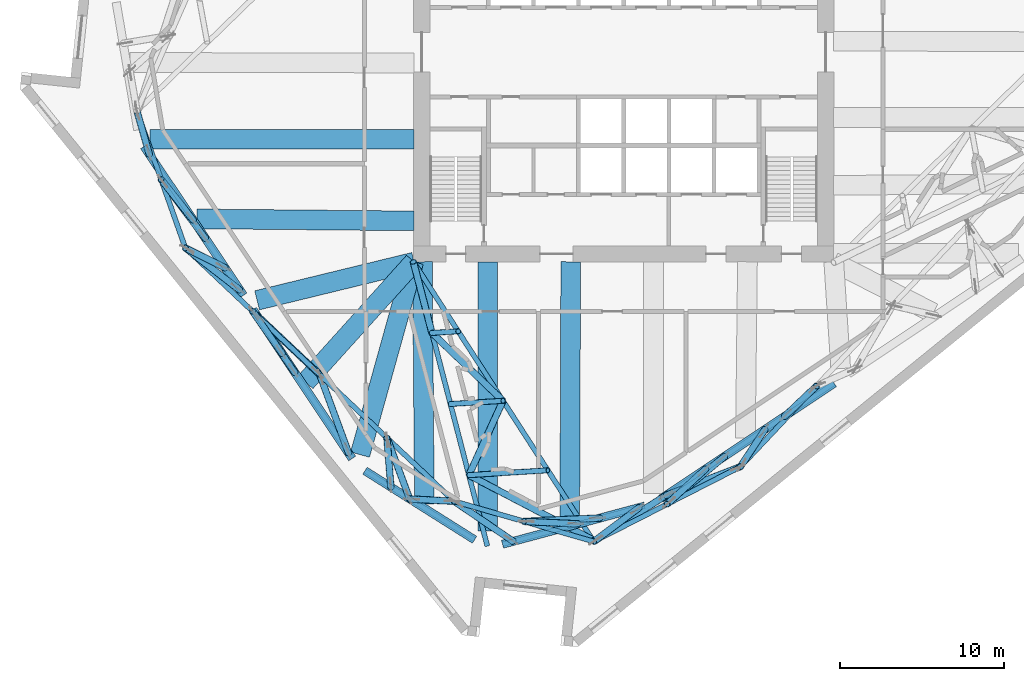
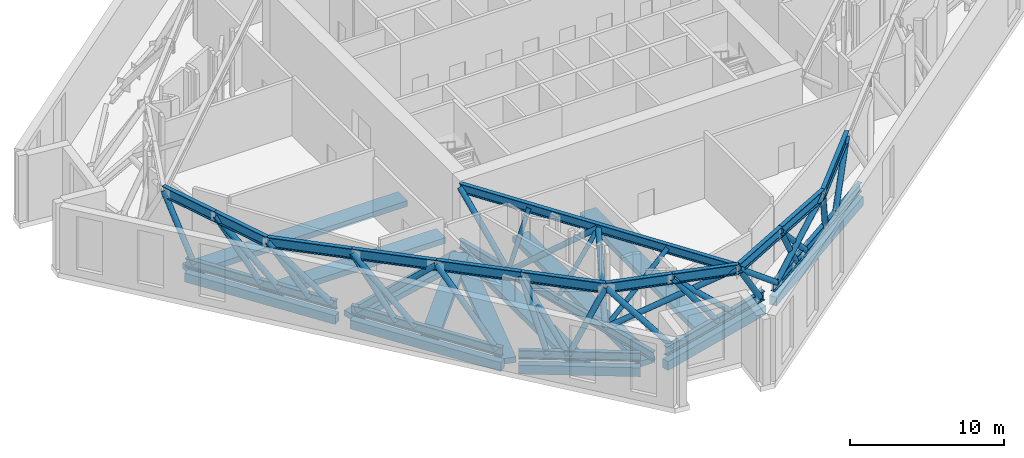
# One storey, part 1 of 17: 31 beams, 29 members.
"""IFC4 building model written with IfcOpenShell, lengths in metres."""

import ifcopenshell
import ifcopenshell.guid

model = None  # the IFC model being written
_history = None  # IfcOwnerHistory: only IFC2X3 demands one
_inside = {}  # id of a spatial element -> (the spatial element, [elements in it])
_under = {}  # id of a project, library or spatial element -> (it, [spatial elements below it])
_declared = {}  # id of a project -> (the project, [libraries it declares])
_typed = {}  # id of a type object -> (the type object, [elements of that type])
_made_of = {}  # id of a material, layer set ... -> (it, [elements and type objects made of it])


def new_model(schema):
    """Start an empty IFC model of exactly this schema.

    Asked for "IFC4X3", IfcOpenShell would pick the latest addendum, in which some entities
    have other attributes; the version numbers below select the first issue.
    IFC2X3 requires an IfcOwnerHistory on every rooted entity: one is made here for all.
    """
    global model, _history
    if schema == "IFC4X3":
        model = ifcopenshell.file(schema_version=(4, 3, 0, 0))
    else:
        model = ifcopenshell.file(schema=schema)
    _inside.clear()
    _under.clear()
    _declared.clear()
    _typed.clear()
    _made_of.clear()
    _history = None
    if model.schema == "IFC2X3":
        org = make("IfcOrganization", Name="unknown")
        user = make(
            "IfcPersonAndOrganization",
            ThePerson=make("IfcPerson", FamilyName="unknown"),
            TheOrganization=org,
        )
        app = make(
            "IfcApplication",
            ApplicationDeveloper=org,
            Version="unknown",
            ApplicationFullName="unknown",
            ApplicationIdentifier="unknown",
        )
        _history = make(
            "IfcOwnerHistory",
            OwningUser=user,
            OwningApplication=app,
            ChangeAction="ADDED",
            CreationDate=0,
        )
    return model


def make(cls, **values):
    """One entity of the class cls with the attributes given. An attribute that is None is left unset."""
    return model.create_entity(
        cls, **{name: value for name, value in values.items() if value is not None}
    )


def rooted(cls, **values):
    """An entity with a GlobalId (a new one), such as an element, a storey or a relation."""
    return make(cls, GlobalId=ifcopenshell.guid.new(), OwnerHistory=_history, **values)


def si_unit(unit_type, name, prefix=None):
    """IfcSIUnit, for example si_unit("LENGTHUNIT", "METRE", prefix="MILLI")."""
    return make("IfcSIUnit", UnitType=unit_type, Prefix=prefix, Name=name)


def assignment(units):
    """IfcUnitAssignment: the units of a project."""
    return None if units is None else make("IfcUnitAssignment", Units=units)


def point(xyz):
    """IfcCartesianPoint."""
    return None if xyz is None else make("IfcCartesianPoint", Coordinates=xyz)


def direction(xyz):
    """IfcDirection."""
    return None if xyz is None else make("IfcDirection", DirectionRatios=xyz)


def frame(location, z_axis=None, x_axis=None):
    """IfcAxis2Placement3D, a coordinate frame: its origin and axes. An axis left out is left unset."""
    return make(
        "IfcAxis2Placement3D",
        Location=point(location),
        Axis=direction(z_axis),
        RefDirection=direction(x_axis),
    )


def frame_2d(location, x_axis=None):
    """IfcAxis2Placement2D, a coordinate frame in the plane: its origin and x axis."""
    return make(
        "IfcAxis2Placement2D", Location=point(location), RefDirection=direction(x_axis)
    )


def origin():
    """The frame at (0, 0, 0) with its axes left unset."""
    return frame((0.0, 0.0, 0.0))


def origin_2d():
    """The frame at (0, 0) in the plane with its x axis left unset."""
    return frame_2d((0.0, 0.0))


def place(relative_to, where):
    """IfcLocalPlacement: puts the frame where relative to a parent placement (None: the world)."""
    return make(
        "IfcLocalPlacement", PlacementRelTo=relative_to, RelativePlacement=where
    )


def context(
    kind, dimensions, precision=None, world=None, true_north=None, identifier=None
):
    """IfcGeometricRepresentationContext, for example the 3D "Model" context."""
    return make(
        "IfcGeometricRepresentationContext",
        ContextIdentifier=identifier,
        ContextType=kind,
        CoordinateSpaceDimension=dimensions,
        Precision=precision,
        WorldCoordinateSystem=world,
        TrueNorth=true_north,
    )


def subcontext(parent, identifier, kind, view, scale=None):
    """IfcGeometricRepresentationSubContext, for example "Body" below "Model"."""
    return make(
        "IfcGeometricRepresentationSubContext",
        ContextIdentifier=identifier,
        ContextType=kind,
        ParentContext=parent,
        TargetScale=scale,
        TargetView=view,
    )


def project(units=None, contexts=None):
    """IfcProject with its units and contexts."""
    return rooted(
        "IfcProject",
        Name="project",
        RepresentationContexts=contexts,
        UnitsInContext=assignment(units),
    )


def spatial(cls, under=None, at=None, **own):
    """A site, building, storey or space (cls), placed at a placement, below another one or the project."""
    s = rooted(cls, ObjectPlacement=at, **own)
    if under is not None:
        _under.setdefault(under.id(), (under, []))[1].append(s)
    return s


def profile(cls, at=None, kind="AREA", **sizes):
    """A parametric profile (cls). Its sizes go by their IFC names, for example OverallWidth=200.0."""
    return make(cls, ProfileType=kind, Position=at, **sizes)


def rectangle(**sizes):
    """IfcRectangleProfileDef."""
    return profile("IfcRectangleProfileDef", **sizes)


def hollow_circle(**sizes):
    """IfcCircleHollowProfileDef."""
    return profile("IfcCircleHollowProfileDef", **sizes)


def i_section(**sizes):
    """IfcIShapeProfileDef."""
    return profile("IfcIShapeProfileDef", **sizes)


def extrude(swept, where, along, depth):
    """IfcExtrudedAreaSolid: the profile swept, set in the frame where, extruded along a direction by depth."""
    return make(
        "IfcExtrudedAreaSolid",
        SweptArea=swept,
        Position=where,
        ExtrudedDirection=direction(along),
        Depth=depth,
    )


def shape(context_of_items, identifier, shape_type, items):
    """IfcShapeRepresentation: the items that make up one representation, for example the "Body"."""
    return make(
        "IfcShapeRepresentation",
        ContextOfItems=context_of_items,
        RepresentationIdentifier=identifier,
        RepresentationType=shape_type,
        Items=items,
    )


def material(Name=None, Category=None):
    """IfcMaterial."""
    return make("IfcMaterial", Name=Name, Category=Category)


def material_profile(
    of_material, cross_section, Name=None, Category=None, Priority=None
):
    """IfcMaterialProfile: a cross section and its material."""
    return make(
        "IfcMaterialProfile",
        Name=Name,
        Material=of_material,
        Profile=cross_section,
        Priority=Priority,
        Category=Category,
    )


def profile_set(profiles, Name=None, composite=None):
    """IfcMaterialProfileSet."""
    return make(
        "IfcMaterialProfileSet",
        Name=Name,
        MaterialProfiles=profiles,
        CompositeProfile=composite,
    )


def made_of(thing, what):
    """Note that an element or type object is made of a material, layer set ...; save() writes the relation."""
    if what is not None:
        _made_of.setdefault(what.id(), (what, []))[1].append(thing)
    return thing


def type_object(cls, material=None, **own):
    """A type object (cls), such as IfcWallType, which elements share."""
    return made_of(rooted(cls, **own), material)


def element(
    cls,
    number,
    at=None,
    inside=None,
    cuts=None,
    type_object=None,
    material=None,
    context=None,
    identifier="Body",
    shape_type=None,
    held_by="IfcProductDefinitionShape",
    body=None,
    shapes=None,
    **own,
):
    """One element of the class cls, such as IfcWall. Its Tag is "e" and its number.

    at: its placement. inside: the storey or other place that contains it. cuts: it is an
    opening in that element (IfcRelVoidsElement). A single representation is given by context,
    identifier, shape_type and body (its items); several are given by shapes. held_by: the class
    of the entity that holds the representations. save() writes the other relations.
    """
    e = rooted(cls, Tag="e%d" % number, ObjectPlacement=at, **own)
    if body is not None:
        shapes = [shape(context, identifier, shape_type, body)]
    if shapes is not None:
        e.Representation = make(held_by, Representations=shapes)
    if inside is not None:
        _inside.setdefault(inside.id(), (inside, []))[1].append(e)
    if cuts is not None:
        rooted(
            "IfcRelVoidsElement", RelatingBuildingElement=cuts, RelatedOpeningElement=e
        )
    if type_object is not None:
        _typed.setdefault(type_object.id(), (type_object, []))[1].append(e)
    return made_of(e, material)


def aggregate(whole, parts):
    """IfcRelAggregates: a whole, such as a stair, and the parts it consists of."""
    return rooted("IfcRelAggregates", RelatingObject=whole, RelatedObjects=parts)


def save(model, path):
    """Write the relations noted so far, then the file.

    IfcRelAggregates (storeys below a building ...), IfcRelContainedInSpatialStructure (elements
    in a storey), IfcRelDefinesByType, IfcRelAssociatesMaterial and IfcRelDeclares: one each for
    every whole, place, type object, material and project.
    """
    for whole, parts in _under.values():
        aggregate(whole, parts)
    for where, things in _inside.values():
        rooted(
            "IfcRelContainedInSpatialStructure",
            RelatedElements=things,
            RelatingStructure=where,
        )
    for kind, things in _typed.values():
        rooted("IfcRelDefinesByType", RelatedObjects=things, RelatingType=kind)
    for what, things in _made_of.values():
        rooted("IfcRelAssociatesMaterial", RelatedObjects=things, RelatingMaterial=what)
    for by, libraries in _declared.values():
        rooted("IfcRelDeclares", RelatingContext=by, RelatedDefinitions=libraries)
    model.write(path)


model = new_model("IFC4")

# Units and contexts
model_context = context("Model", 3, precision=1e-05, world=origin(), true_north=direction((0.0, 1.0)))
body_context = subcontext(model_context, "Body", "Model", "MODEL_VIEW")
ifc_project = project(units=[si_unit("LENGTHUNIT", "METRE"), si_unit("AREAUNIT", "SQUARE_METRE"), si_unit("VOLUMEUNIT", "CUBIC_METRE"), si_unit("PLANEANGLEUNIT", "RADIAN"), si_unit("MASSUNIT", "GRAM", prefix="KILO")], contexts=[model_context])

# Site, building, storey
site_placement = place(None, origin())
site = spatial("IfcSite", under=ifc_project, at=site_placement, CompositionType="ELEMENT")
building_placement = place(site_placement, origin())
building = spatial("IfcBuilding", under=site, at=building_placement, Name="Dilmun Exchange Tower", CompositionType="ELEMENT")
storey_placement = place(building_placement, frame((0.0, 0.0, 183.699951171875)))
storey = spatial("IfcBuildingStorey", under=building, at=storey_placement, Name="L43", CompositionType="ELEMENT", Elevation=183.699951171875)

# Beams
ifc_material_1 = material(Name="Concrete C40/50", Category="concrete")
ifc_material_profile_1 = material_profile(ifc_material_1, rectangle(XDim=1.199951171875, YDim=0.449951171875, at=origin_2d()), Name="1200 x 450")
ifc_profile_set_1 = profile_set([ifc_material_profile_1], Name="Concrete C40/50")
beam_type_1 = type_object("IfcBeamType", Name="RC band beam 1200 x 450 C40/50", PredefinedType="BEAM", material=ifc_profile_set_1)
beam_1_placement = place(storey_placement, frame((-28.8759765625, -5.31201171875, -0.724853515625), z_axis=(1.0, 0.0, 0.0), x_axis=(0.0, 1.0, 0.0)))
element("IfcBeam", 1, at=beam_1_placement, inside=storey, type_object=beam_type_1, Name="Band beam 6", PredefinedType="BEAM", context=body_context, shape_type="SweptSolid", body=[
    extrude(rectangle(XDim=1.199951171875, YDim=0.449951171875, at=origin_2d()), origin(), (0.0, 0.0, 1.0), 16.10302734375),
])
beam_2_placement = place(storey_placement, frame((-22.33837890625, -15.122802734375, -0.724853515625), z_axis=(0.971607999859, 0.236596480554, 0.0), x_axis=(-0.236596480554, 0.971607999859, 0.0)))
element("IfcBeam", 2, at=beam_2_placement, inside=storey, type_object=beam_type_1, Name="Band beam 7", PredefinedType="BEAM", context=body_context, shape_type="SweptSolid", body=[
    extrude(rectangle(XDim=1.199951171875, YDim=0.449951171875, at=origin_2d()), origin(), (0.0, 0.0, 1.0), 9.84423828125),
])
beam_3_placement = place(storey_placement, frame((-16.064453125, -24.524658203125, -0.724853515625), z_axis=(0.268225004284, 0.963356292904, 0.0), x_axis=(-0.963356292904, 0.268225004284, 0.0)))
element("IfcBeam", 3, at=beam_3_placement, inside=storey, type_object=beam_type_1, Name="Band beam 8", PredefinedType="BEAM", context=body_context, shape_type="SweptSolid", body=[
    extrude(rectangle(XDim=1.199951171875, YDim=0.449951171875, at=origin_2d()), origin(), (0.0, 0.0, 1.0), 12.19775390625),
])
beam_4_placement = place(storey_placement, frame((-8.27587890625, -29.166259765625, -0.724853515625), z_axis=(0.0, 1.0, 0.0), x_axis=(-1.0, 0.0, 0.0)))
element("IfcBeam", 4, at=beam_4_placement, inside=storey, type_object=beam_type_1, Name="Band beam 9", PredefinedType="BEAM", context=body_context, shape_type="SweptSolid", body=[
    extrude(rectangle(XDim=1.199951171875, YDim=0.449951171875, at=origin_2d()), origin(), (0.0, 0.0, 1.0), 16.393310546875),
])
beam_5_placement = place(storey_placement, frame((-26.010009765625, -10.159912109375, -0.625), z_axis=(0.999956454863, -0.009332115424, 0.0), x_axis=(0.009332115424, 0.999956454863, 0.0)))
element("IfcBeam", 5, at=beam_5_placement, inside=storey, type_object=beam_type_1, Name="Band beam 22", PredefinedType="BEAM", context=body_context, shape_type="SweptSolid", body=[
    extrude(rectangle(XDim=1.199951171875, YDim=0.449951171875, at=origin_2d()), origin(), (0.0, 0.0, 1.0), 13.237548828125),
])
beam_6_placement = place(storey_placement, frame((-19.381103515625, -20.102783203125, -0.625), z_axis=(0.669462647611, 0.742845719819, 0.0), x_axis=(-0.742845719819, 0.669462647611, 0.0)))
element("IfcBeam", 6, at=beam_6_placement, inside=storey, type_object=beam_type_1, Name="Band beam 23", PredefinedType="BEAM", context=body_context, shape_type="SweptSolid", body=[
    extrude(rectangle(XDim=1.199951171875, YDim=0.449951171875, at=origin_2d()), origin(), (0.0, 0.0, 1.0), 9.857666015625),
])
beam_7_placement = place(storey_placement, frame((-12.145263671875, -27.520751953125, -0.625), z_axis=(-0.008045164826, 0.999967637138, 0.0), x_axis=(-0.999967637138, -0.008045164826, 0.0)))
element("IfcBeam", 7, at=beam_7_placement, inside=storey, type_object=beam_type_1, Name="Band beam 24", PredefinedType="BEAM", context=body_context, shape_type="SweptSolid", body=[
    extrude(rectangle(XDim=1.199951171875, YDim=0.449951171875, at=origin_2d()), origin(), (0.0, 0.0, 1.0), 14.748291015625),
])
beam_8_placement = place(storey_placement, frame((-3.286865234375, -28.651611328125, -0.625), z_axis=(0.003643943273, 0.999993360817, 0.0), x_axis=(-0.999993360817, 0.003643943273, 0.0)))
element("IfcBeam", 8, at=beam_8_placement, inside=storey, type_object=beam_type_1, Name="Band beam 25", PredefinedType="BEAM", context=body_context, shape_type="SweptSolid", body=[
    extrude(rectangle(XDim=1.199951171875, YDim=0.449951171875, at=origin_2d()), origin(), (0.0, 0.0, 1.0), 15.878662109375),
])
ifc_material_profile_2 = material_profile(ifc_material_1, rectangle(XDim=0.5, YDim=0.699951171875, at=origin_2d()), Name="500 x 700")
ifc_profile_set_2 = profile_set([ifc_material_profile_2], Name="Concrete C40/50")
beam_type_2 = type_object("IfcBeamType", Name="RC ring beam 500 x 700 C40/50", PredefinedType="SPANDREL", material=ifc_profile_set_2)
for number, where, z_axis, x_axis, name in (
    (9, (-29.219970703125, -5.747314453125, -0.75), (0.554731197186, -0.832029626196, 0.0), (0.832029626196, 0.554731197186, 0.0), "Ring beam 6"),
    (10, (-22.5908203125, -15.690185546875, -0.75), (0.554731197186, -0.832029626196, 0.0), (0.832029626196, 0.554731197186, 0.0), "Ring beam 7"),
):
    element("IfcBeam", number, at=place(storey_placement, frame(where, z_axis=z_axis, x_axis=x_axis)), inside=storey, type_object=beam_type_2, Name=name, PredefinedType="SPANDREL", context=body_context, shape_type="SweptSolid", body=[
        extrude(rectangle(XDim=0.5, YDim=0.699951171875, at=origin_2d()), origin(), (0.0, 0.0, 1.0), 10.904052734375),
    ])
beam_9_placement = place(storey_placement, frame((-15.764892578125, -25.504638671875, -0.75), z_axis=(0.846177038183, -0.532901885953, 0.0), x_axis=(0.532901885953, 0.846177038183, 0.0)))
element("IfcBeam", 11, at=beam_9_placement, inside=storey, type_object=beam_type_2, Name="Ring beam 8", PredefinedType="SPANDREL", context=body_context, shape_type="SweptSolid", body=[
    extrude(rectangle(XDim=0.5, YDim=0.699951171875, at=origin_2d()), origin(), (0.0, 0.0, 1.0), 7.891357421875),
])
beam_10_placement = place(storey_placement, frame((-7.384521484375, -29.981689453125, -0.75), z_axis=(0.965850974034, 0.259098236113, 0.0), x_axis=(-0.259098236113, 0.965850974034, 0.0)))
element("IfcBeam", 12, at=beam_10_placement, inside=storey, type_object=beam_type_2, Name="Ring beam 9", PredefinedType="SPANDREL", context=body_context, shape_type="SweptSolid", body=[
    extrude(rectangle(XDim=0.5, YDim=0.699951171875, at=origin_2d()), origin(), (0.0, 0.0, 1.0), 8.97412109375),
])
beam_11_placement = place(storey_placement, frame((2.253173828125, -27.222900390625, -0.75), z_axis=(0.832002986666, 0.554771151177, 0.0), x_axis=(-0.554771151177, 0.832002986666, 0.0)))
element("IfcBeam", 13, at=beam_11_placement, inside=storey, type_object=beam_type_2, Name="Ring beam 10", PredefinedType="SPANDREL", context=body_context, shape_type="SweptSolid", body=[
    extrude(rectangle(XDim=0.5, YDim=0.699951171875, at=origin_2d()), origin(), (0.0, 0.0, 1.0), 12.7041015625),
])
ifc_material_2 = material(Name="Steel S355", Category="steel")
ifc_material_profile_3 = material_profile(ifc_material_2, i_section(OverallWidth=0.300048828125, OverallDepth=0.699951171875, WebThickness=0.01708984375, FlangeThickness=0.031982421875, FilletRadius=0.027099609375, at=origin_2d()), Name="HEB 700")
ifc_profile_set_3 = profile_set([ifc_material_profile_3], Name="Steel S355")
beam_type_3 = type_object("IfcBeamType", Name="belt bottom chord HEB 700", PredefinedType="BEAM", material=ifc_profile_set_3)
for number, where, z_axis, x_axis, name in (
    (14, (-29.219970703125, -5.747314453125, 0.35009765625), (0.554731197186, -0.832029626196, 0.0), (0.832029626196, 0.554731197186, 0.0), "Belt bottom chord 6"),
    (15, (-22.5908203125, -15.690185546875, 0.35009765625), (0.554731197186, -0.832029626196, 0.0), (0.832029626196, 0.554731197186, 0.0), "Belt bottom chord 7"),
):
    element("IfcBeam", number, at=place(storey_placement, frame(where, z_axis=z_axis, x_axis=x_axis)), inside=storey, type_object=beam_type_3, Name=name, PredefinedType="BEAM", context=body_context, shape_type="SweptSolid", body=[
        extrude(i_section(OverallWidth=0.300048828125, OverallDepth=0.699951171875, WebThickness=0.01708984375, FlangeThickness=0.031982421875, FilletRadius=0.027099609375, at=origin_2d()), origin(), (0.0, 0.0, 1.0), 10.904052734375),
    ])
beam_12_placement = place(storey_placement, frame((-15.764892578125, -25.504638671875, 0.35009765625), z_axis=(0.846177038183, -0.532901885953, 0.0), x_axis=(0.532901885953, 0.846177038183, 0.0)))
element("IfcBeam", 16, at=beam_12_placement, inside=storey, type_object=beam_type_3, Name="Belt bottom chord 8", PredefinedType="BEAM", context=body_context, shape_type="SweptSolid", body=[
    extrude(i_section(OverallWidth=0.300048828125, OverallDepth=0.699951171875, WebThickness=0.01708984375, FlangeThickness=0.031982421875, FilletRadius=0.027099609375, at=origin_2d()), origin(), (0.0, 0.0, 1.0), 7.891357421875),
])
beam_13_placement = place(storey_placement, frame((-7.384521484375, -29.981689453125, 0.35009765625), z_axis=(0.965850974034, 0.259098236113, 0.0), x_axis=(-0.259098236113, 0.965850974034, 0.0)))
element("IfcBeam", 17, at=beam_13_placement, inside=storey, type_object=beam_type_3, Name="Belt bottom chord 9", PredefinedType="BEAM", context=body_context, shape_type="SweptSolid", body=[
    extrude(i_section(OverallWidth=0.300048828125, OverallDepth=0.699951171875, WebThickness=0.01708984375, FlangeThickness=0.031982421875, FilletRadius=0.027099609375, at=origin_2d()), origin(), (0.0, 0.0, 1.0), 8.97412109375),
])
beam_14_placement = place(storey_placement, frame((2.253173828125, -27.222900390625, 0.35009765625), z_axis=(0.832002986666, 0.554771151177, 0.0), x_axis=(-0.554771151177, 0.832002986666, 0.0)))
element("IfcBeam", 18, at=beam_14_placement, inside=storey, type_object=beam_type_3, Name="Belt bottom chord 10", PredefinedType="BEAM", context=body_context, shape_type="SweptSolid", body=[
    extrude(i_section(OverallWidth=0.300048828125, OverallDepth=0.699951171875, WebThickness=0.01708984375, FlangeThickness=0.031982421875, FilletRadius=0.027099609375, at=origin_2d()), origin(), (0.0, 0.0, 1.0), 12.7041015625),
])
ifc_material_profile_4 = material_profile(ifc_material_2, i_section(OverallWidth=0.300048828125, OverallDepth=0.699951171875, WebThickness=0.01708984375, FlangeThickness=0.031982421875, FilletRadius=0.027099609375, at=origin_2d()), Name="HEB 700")
ifc_profile_set_4 = profile_set([ifc_material_profile_4], Name="Steel S355")
beam_type_4 = type_object("IfcBeamType", Name="outrigger chord HEB 700", PredefinedType="BEAM", material=ifc_profile_set_4)
beam_15_placement = place(storey_placement, frame((-12.806884765625, -12.77392578125, 0.35009765625), z_axis=(0.251359208942, -0.967893872323, 0.0), x_axis=(0.967893872323, 0.251359208942, 0.0)))
element("IfcBeam", 19, at=beam_15_placement, inside=storey, type_object=beam_type_4, Name="Outrigger bottom chord 3", PredefinedType="BEAM", context=body_context, shape_type="SweptSolid", body=[
    extrude(i_section(OverallWidth=0.300048828125, OverallDepth=0.699951171875, WebThickness=0.01708984375, FlangeThickness=0.031982421875, FilletRadius=0.027099609375, at=origin_2d()), origin(), (0.0, 0.0, 1.0), 17.902587890625),
])
beam_16_placement = place(storey_placement, frame((-12.814697265625, -12.77734375, 4.77001953125), z_axis=(0.541974265811, -0.840395082802, 0.0), x_axis=(0.840395082802, 0.541974265811, 0.0)))
element("IfcBeam", 20, at=beam_16_placement, inside=storey, type_object=beam_type_4, Name="Outrigger top chord 3", PredefinedType="BEAM", context=body_context, shape_type="SweptSolid", body=[
    extrude(i_section(OverallWidth=0.300048828125, OverallDepth=0.699951171875, WebThickness=0.01708984375, FlangeThickness=0.031982421875, FilletRadius=0.027099609375, at=origin_2d()), origin(), (0.0, 0.0, 1.0), 20.152587890625),
])

# Members
ifc_material_profile_5 = material_profile(ifc_material_2, hollow_circle(Radius=0.161865234375, WallThickness=0.01611328125, at=origin_2d()), Name="CHS 323.9x16")
ifc_profile_set_5 = profile_set([ifc_material_profile_5], Name="Steel S355")
member_type_1 = type_object("IfcMemberType", Name="outrigger post CHS 323.9x16", PredefinedType="POST", material=ifc_profile_set_5)
member_1_placement = place(storey_placement, frame((-10.083984375, -17.01123046875, 4.77001953125), z_axis=(-0.339917505628, -0.020150953733, -0.940239346354), x_axis=(0.059177999881, -0.998247446443, 0.0)))
element("IfcMember", 21, at=member_1_placement, inside=storey, type_object=member_type_1, Name="Outrigger post 3.1", PredefinedType="POST", context=body_context, shape_type="SweptSolid", body=[
    extrude(hollow_circle(Radius=0.161865234375, WallThickness=0.01611328125, at=origin_2d()), origin(), (0.0, 0.0, 1.0), 4.700927734375),
])
member_2_placement = place(storey_placement, frame((-7.353515625, -21.245361328125, 4.77001953125), z_axis=(-0.58647353362, -0.035266185354, -0.809200278382), x_axis=(0.060024188107, -0.998196922878, 0.0)))
element("IfcMember", 22, at=member_2_placement, inside=storey, type_object=member_type_1, Name="Outrigger post 3.2", PredefinedType="POST", context=body_context, shape_type="SweptSolid", body=[
    extrude(hollow_circle(Radius=0.161865234375, WallThickness=0.01611328125, at=origin_2d()), origin(), (0.0, 0.0, 1.0), 5.462158203125),
])
member_3_placement = place(storey_placement, frame((-4.623046875, -25.4794921875, 4.77001953125), z_axis=(-0.735524742004, -0.044436941818, -0.676038987117), x_axis=(0.060305334453, -0.998179977077, 0.0)))
element("IfcMember", 23, at=member_3_placement, inside=storey, type_object=member_type_1, Name="Outrigger post 3.3", PredefinedType="POST", context=body_context, shape_type="SweptSolid", body=[
    extrude(hollow_circle(Radius=0.161865234375, WallThickness=0.01611328125, at=origin_2d()), origin(), (0.0, 0.0, 1.0), 6.5380859375),
])

# Beams
ifc_material_profile_6 = material_profile(ifc_material_2, i_section(OverallWidth=0.302978515625, OverallDepth=0.81396484375, WebThickness=0.02099609375, FlangeThickness=0.0400390625, FilletRadius=0.030029296875, at=origin_2d()), Name="HEM 800")
ifc_profile_set_6 = profile_set([ifc_material_profile_6], Name="Steel S355")
beam_type_5 = type_object("IfcBeamType", Name="transfer chord HEM 800", PredefinedType="BEAM", material=ifc_profile_set_6)
beam_17_placement = place(storey_placement, frame((-29.658935546875, -3.58203125, 4.81298828125), z_axis=(0.333411286795, -0.942781477246, 0.0), x_axis=(0.942781477246, 0.333411286795, 0.0)))
element("IfcBeam", 24, at=beam_17_placement, inside=storey, type_object=beam_type_5, Name="Transfer chord 9", PredefinedType="BEAM", context=body_context, shape_type="SweptSolid", body=[
    extrude(i_section(OverallWidth=0.302978515625, OverallDepth=0.81396484375, WebThickness=0.02099609375, FlangeThickness=0.0400390625, FilletRadius=0.030029296875, at=origin_2d()), origin(), (0.0, 0.0, 1.0), 4.427978515625),
])
beam_18_placement = place(storey_placement, frame((-28.1826171875, -7.756591796875, 4.81298828125), z_axis=(0.333477627004, -0.942758013643, 0.0), x_axis=(0.942758013643, 0.333477627004, 0.0)))
element("IfcBeam", 25, at=beam_18_placement, inside=storey, type_object=beam_type_5, Name="Transfer chord 10", PredefinedType="BEAM", context=body_context, shape_type="SweptSolid", body=[
    extrude(i_section(OverallWidth=0.302978515625, OverallDepth=0.81396484375, WebThickness=0.02099609375, FlangeThickness=0.0400390625, FilletRadius=0.030029296875, at=origin_2d()), origin(), (0.0, 0.0, 1.0), 4.427734375),
])
beam_19_placement = place(storey_placement, frame((-26.7060546875, -11.930908203125, 4.81298828125), z_axis=(0.727676059276, -0.685920952266, 0.0), x_axis=(0.685920952266, 0.727676059276, 0.0)))
element("IfcBeam", 26, at=beam_19_placement, inside=storey, type_object=beam_type_5, Name="Transfer chord 11", PredefinedType="BEAM", context=body_context, shape_type="SweptSolid", body=[
    extrude(i_section(OverallWidth=0.302978515625, OverallDepth=0.81396484375, WebThickness=0.02099609375, FlangeThickness=0.0400390625, FilletRadius=0.030029296875, at=origin_2d()), origin(), (0.0, 0.0, 1.0), 5.624755859375),
])
beam_20_placement = place(storey_placement, frame((-22.613037109375, -15.7890625, 4.81298828125), z_axis=(0.727697723959, -0.685897968028, 0.0), x_axis=(0.685897968028, 0.727697723959, 0.0)))
element("IfcBeam", 27, at=beam_20_placement, inside=storey, type_object=beam_type_5, Name="Transfer chord 12", PredefinedType="BEAM", context=body_context, shape_type="SweptSolid", body=[
    extrude(i_section(OverallWidth=0.302978515625, OverallDepth=0.81396484375, WebThickness=0.02099609375, FlangeThickness=0.0400390625, FilletRadius=0.030029296875, at=origin_2d()), origin(), (0.0, 0.0, 1.0), 5.62451171875),
])
beam_21_placement = place(storey_placement, frame((-18.52001953125, -19.64697265625, 4.81298828125), z_axis=(0.727673573307, -0.685923589557, 0.0), x_axis=(0.685923589557, 0.727673573307, 0.0)))
element("IfcBeam", 28, at=beam_21_placement, inside=storey, type_object=beam_type_5, Name="Transfer chord 13", PredefinedType="BEAM", context=body_context, shape_type="SweptSolid", body=[
    extrude(i_section(OverallWidth=0.302978515625, OverallDepth=0.81396484375, WebThickness=0.02099609375, FlangeThickness=0.0400390625, FilletRadius=0.030029296875, at=origin_2d()), origin(), (0.0, 0.0, 1.0), 5.62548828125),
])
beam_22_placement = place(storey_placement, frame((-14.426513671875, -23.505615234375, 4.81298828125), z_axis=(0.727695235341, -0.685900608297, 0.0), x_axis=(0.685900608297, 0.727695235341, 0.0)))
element("IfcBeam", 29, at=beam_22_placement, inside=storey, type_object=beam_type_5, Name="Transfer chord 14", PredefinedType="BEAM", context=body_context, shape_type="SweptSolid", body=[
    extrude(i_section(OverallWidth=0.302978515625, OverallDepth=0.81396484375, WebThickness=0.02099609375, FlangeThickness=0.0400390625, FilletRadius=0.030029296875, at=origin_2d()), origin(), (0.0, 0.0, 1.0), 5.625244140625),
])
beam_23_placement = place(storey_placement, frame((-10.3330078125, -27.364013671875, 4.81298828125), z_axis=(0.96082585037, -0.277152819327, 0.0), x_axis=(0.277152819327, 0.96082585037, 0.0)))
element("IfcBeam", 30, at=beam_23_placement, inside=storey, type_object=beam_type_5, Name="Transfer chord 15", PredefinedType="BEAM", context=body_context, shape_type="SweptSolid", body=[
    extrude(i_section(OverallWidth=0.302978515625, OverallDepth=0.81396484375, WebThickness=0.02099609375, FlangeThickness=0.0400390625, FilletRadius=0.030029296875, at=origin_2d()), origin(), (0.0, 0.0, 1.0), 4.42724609375),
])
beam_24_placement = place(storey_placement, frame((-6.0791015625, -28.591064453125, 4.81298828125), z_axis=(0.960830085833, -0.277138135518, 0.0), x_axis=(0.277138135518, 0.960830085833, 0.0)))
element("IfcBeam", 31, at=beam_24_placement, inside=storey, type_object=beam_type_5, Name="Transfer chord 16", PredefinedType="BEAM", context=body_context, shape_type="SweptSolid", body=[
    extrude(i_section(OverallWidth=0.302978515625, OverallDepth=0.81396484375, WebThickness=0.02099609375, FlangeThickness=0.0400390625, FilletRadius=0.030029296875, at=origin_2d()), origin(), (0.0, 0.0, 1.0), 4.427490234375),
])
for number, where, z_axis, x_axis, name in (
    (32, (-1.824951171875, -29.818115234375, 4.81298828125), (0.890728097659, 0.45453652883, 0.0), (-0.45453652883, 0.890728097659, 0.0), "Transfer chord 17"),
    (33, (2.64404296875, -27.53759765625, 4.81298828125), (0.890728097659, 0.45453652883, 0.0), (-0.45453652883, 0.890728097659, 0.0), "Transfer chord 18"),
):
    element("IfcBeam", number, at=place(storey_placement, frame(where, z_axis=z_axis, x_axis=x_axis)), inside=storey, type_object=beam_type_5, Name=name, PredefinedType="BEAM", context=body_context, shape_type="SweptSolid", body=[
        extrude(i_section(OverallWidth=0.302978515625, OverallDepth=0.81396484375, WebThickness=0.02099609375, FlangeThickness=0.0400390625, FilletRadius=0.030029296875, at=origin_2d()), origin(), (0.0, 0.0, 1.0), 5.017333984375),
    ])
beam_25_placement = place(storey_placement, frame((7.113037109375, -25.257080078125, 4.81298828125), z_axis=(0.685892507257, 0.727702871019, 0.0), x_axis=(-0.727702871019, 0.685892507257, 0.0)))
element("IfcBeam", 34, at=beam_25_placement, inside=storey, type_object=beam_type_5, Name="Transfer chord 19", PredefinedType="BEAM", context=body_context, shape_type="SweptSolid", body=[
    extrude(i_section(OverallWidth=0.302978515625, OverallDepth=0.81396484375, WebThickness=0.02099609375, FlangeThickness=0.0400390625, FilletRadius=0.030029296875, at=origin_2d()), origin(), (0.0, 0.0, 1.0), 6.750244140625),
])

# Members
ifc_material_profile_7 = material_profile(ifc_material_2, hollow_circle(Radius=0.203125, WallThickness=0.02490234375, at=origin_2d()), Name="CHS 406.4x25")
ifc_profile_set_7 = profile_set([ifc_material_profile_7], Name="Steel S355")
member_type_2 = type_object("IfcMemberType", Name="truss diagonal CHS 406.4x25", PredefinedType="BRACE", material=ifc_profile_set_7)
member_4_placement = place(storey_placement, frame((-29.658935546875, -3.58203125, 4.81298828125), z_axis=(0.14476579087, -0.504515067248, -0.851180011933), x_axis=(0.961211995626, 0.275810622464, 0.0)))
element("IfcMember", 35, at=member_4_placement, inside=storey, type_object=member_type_2, Name="Truss diagonal 17", PredefinedType="BRACE", context=body_context, shape_type="SweptSolid", body=[
    extrude(hollow_circle(Radius=0.203125, WallThickness=0.02490234375, at=origin_2d()), origin(), (0.0, 0.0, 1.0), 5.2431640625),
])
member_5_placement = place(storey_placement, frame((-28.1826171875, -7.756591796875, 4.81298828125), z_axis=(0.357839175617, -0.453739181759, -0.816132268282), x_axis=(0.785199088705, 0.619243402142, 0.0)))
element("IfcMember", 36, at=member_5_placement, inside=storey, type_object=member_type_2, Name="Truss diagonal 19", PredefinedType="BRACE", context=body_context, shape_type="SweptSolid", body=[
    extrude(hollow_circle(Radius=0.203125, WallThickness=0.02490234375, at=origin_2d()), origin(), (0.0, 0.0, 1.0), 5.46826171875),
])
member_6_placement = place(storey_placement, frame((-28.1826171875, -7.756591796875, 4.81298828125), z_axis=(0.426563814635, -0.568289853751, -0.703626288713), x_axis=(0.799765924739, 0.600311973582, 0.0)))
element("IfcMember", 37, at=member_6_placement, inside=storey, type_object=member_type_2, Name="Truss diagonal 20", PredefinedType="BRACE", context=body_context, shape_type="SweptSolid", body=[
    extrude(hollow_circle(Radius=0.203125, WallThickness=0.02490234375, at=origin_2d()), origin(), (0.0, 0.0, 1.0), 6.3427734375),
])
member_7_placement = place(storey_placement, frame((-26.7060546875, -11.930908203125, 4.81298828125), z_axis=(0.542320990143, -0.419907641784, -0.727712522925), x_axis=(0.612215335021, 0.79069107973, 0.0)))
element("IfcMember", 38, at=member_7_placement, inside=storey, type_object=member_type_2, Name="Truss diagonal 21", PredefinedType="BRACE", context=body_context, shape_type="SweptSolid", body=[
    extrude(hollow_circle(Radius=0.203125, WallThickness=0.02490234375, at=origin_2d()), origin(), (0.0, 0.0, 1.0), 6.1328125),
])
member_8_placement = place(storey_placement, frame((-26.7060546875, -11.930908203125, 4.81298828125), z_axis=(0.463252271607, -0.232421458831, -0.855206172993), x_axis=(0.448440789958, 0.893812540694, 0.0)))
element("IfcMember", 39, at=member_8_placement, inside=storey, type_object=member_type_2, Name="Truss diagonal 22", PredefinedType="BRACE", context=body_context, shape_type="SweptSolid", body=[
    extrude(hollow_circle(Radius=0.203125, WallThickness=0.02490234375, at=origin_2d()), origin(), (0.0, 0.0, 1.0), 5.218505859375),
])
member_9_placement = place(storey_placement, frame((-22.613037109375, -15.7890625, 4.81298828125), z_axis=(0.331010946257, -0.472317360739, -0.816913743429), x_axis=(0.818915104388, 0.573914672931, 0.0)))
element("IfcMember", 40, at=member_9_placement, inside=storey, type_object=member_type_2, Name="Truss diagonal 23", PredefinedType="BRACE", context=body_context, shape_type="SweptSolid", body=[
    extrude(hollow_circle(Radius=0.203125, WallThickness=0.02490234375, at=origin_2d()), origin(), (0.0, 0.0, 1.0), 5.463134765625),
])
member_10_placement = place(storey_placement, frame((-22.613037109375, -15.7890625, 4.81298828125), z_axis=(0.405560448907, -0.587580023256, -0.700193143749), x_axis=(0.822994838697, 0.568048849552, 0.0)))
element("IfcMember", 41, at=member_10_placement, inside=storey, type_object=member_type_2, Name="Truss diagonal 24", PredefinedType="BRACE", context=body_context, shape_type="SweptSolid", body=[
    extrude(hollow_circle(Radius=0.203125, WallThickness=0.02490234375, at=origin_2d()), origin(), (0.0, 0.0, 1.0), 6.373779296875),
])
member_11_placement = place(storey_placement, frame((-18.52001953125, -19.64697265625, 4.81298828125), z_axis=(0.260490649347, -0.707225820934, -0.657249008982), x_axis=(0.938371620707, 0.345627981292, 0.0)))
element("IfcMember", 42, at=member_11_placement, inside=storey, type_object=member_type_2, Name="Truss diagonal 25", PredefinedType="BRACE", context=body_context, shape_type="SweptSolid", body=[
    extrude(hollow_circle(Radius=0.203125, WallThickness=0.02490234375, at=origin_2d()), origin(), (0.0, 0.0, 1.0), 6.790283203125),
])
member_12_placement = place(storey_placement, frame((-18.52001953125, -19.64697265625, 4.81298828125), z_axis=(-0.556808377429, 0.525268340372, -0.643473077469), x_axis=(-0.686204817964, -0.7274083776, 0.0)))
element("IfcMember", 43, at=member_12_placement, inside=storey, type_object=member_type_2, Name="Truss diagonal 26", PredefinedType="BRACE", context=body_context, shape_type="SweptSolid", body=[
    extrude(hollow_circle(Radius=0.203125, WallThickness=0.02490234375, at=origin_2d()), origin(), (0.0, 0.0, 1.0), 6.935546875),
])
member_13_placement = place(storey_placement, frame((-14.426513671875, -23.505615234375, 4.81298828125), z_axis=(0.231886546885, -0.62219549562, -0.747730830315), x_axis=(0.937038640439, 0.349225695395, 0.0)))
element("IfcMember", 44, at=member_13_placement, inside=storey, type_object=member_type_2, Name="Truss diagonal 27", PredefinedType="BRACE", context=body_context, shape_type="SweptSolid", body=[
    extrude(hollow_circle(Radius=0.203125, WallThickness=0.02490234375, at=origin_2d()), origin(), (0.0, 0.0, 1.0), 5.968505859375),
])
member_14_placement = place(storey_placement, frame((-14.426513671875, -23.505615234375, 4.81298828125), z_axis=(0.044883094608, -0.556568526065, -0.829588442309), x_axis=(0.996764165077, 0.080381585067, 0.0)))
element("IfcMember", 45, at=member_14_placement, inside=storey, type_object=member_type_2, Name="Truss diagonal 28", PredefinedType="BRACE", context=body_context, shape_type="SweptSolid", body=[
    extrude(hollow_circle(Radius=0.203125, WallThickness=0.02490234375, at=origin_2d()), origin(), (0.0, 0.0, 1.0), 5.379638671875),
])
member_15_placement = place(storey_placement, frame((-10.3330078125, -27.364013671875, 4.81298828125), z_axis=(0.577873246024, -0.391802368907, -0.715928359019), x_axis=(0.561181753228, 0.827692599848, 0.0)))
element("IfcMember", 46, at=member_15_placement, inside=storey, type_object=member_type_2, Name="Truss diagonal 29", PredefinedType="BRACE", context=body_context, shape_type="SweptSolid", body=[
    extrude(hollow_circle(Radius=0.203125, WallThickness=0.02490234375, at=origin_2d()), origin(), (0.0, 0.0, 1.0), 6.233642578125),
])
member_16_placement = place(storey_placement, frame((-10.3330078125, -27.364013671875, 4.81298828125), z_axis=(-0.516423770131, 0.02575329346, -0.855945826276), x_axis=(-0.049806635564, -0.998758879337, 0.0)))
element("IfcMember", 47, at=member_16_placement, inside=storey, type_object=member_type_2, Name="Truss diagonal 30", PredefinedType="BRACE", context=body_context, shape_type="SweptSolid", body=[
    extrude(hollow_circle(Radius=0.203125, WallThickness=0.02490234375, at=origin_2d()), origin(), (0.0, 0.0, 1.0), 5.2138671875),
])
member_17_placement = place(storey_placement, frame((-6.0791015625, -28.591064453125, 4.81298828125), z_axis=(0.594663837358, -0.027823357901, -0.80349286325), x_axis=(0.046737250997, 0.998907217598, 0.0)))
element("IfcMember", 48, at=member_17_placement, inside=storey, type_object=member_type_2, Name="Truss diagonal 31", PredefinedType="BRACE", context=body_context, shape_type="SweptSolid", body=[
    extrude(hollow_circle(Radius=0.203125, WallThickness=0.02490234375, at=origin_2d()), origin(), (0.0, 0.0, 1.0), 5.554443359375),
])
member_18_placement = place(storey_placement, frame((-6.0791015625, -28.591064453125, 4.81298828125), z_axis=(0.721471040686, 0.032276435606, -0.691691961176), x_axis=(-0.044692278972, 0.999000800901, 0.0)))
element("IfcMember", 49, at=member_18_placement, inside=storey, type_object=member_type_2, Name="Truss diagonal 32", PredefinedType="BRACE", context=body_context, shape_type="SweptSolid", body=[
    extrude(hollow_circle(Radius=0.203125, WallThickness=0.02490234375, at=origin_2d()), origin(), (0.0, 0.0, 1.0), 6.4521484375),
])
member_19_placement = place(storey_placement, frame((-1.824951171875, -29.818115234375, 4.81298828125), z_axis=(0.491059604366, 0.366835917811, -0.790121430138), x_axis=(-0.598475750451, 0.801140921512, 0.0)))
element("IfcMember", 50, at=member_19_placement, inside=storey, type_object=member_type_2, Name="Truss diagonal 33", PredefinedType="BRACE", context=body_context, shape_type="SweptSolid", body=[
    extrude(hollow_circle(Radius=0.203125, WallThickness=0.02490234375, at=origin_2d()), origin(), (0.0, 0.0, 1.0), 5.6484375),
])
member_20_placement = place(storey_placement, frame((-1.824951171875, -29.818115234375, 4.81298828125), z_axis=(0.649132715221, 0.415122742518, -0.63741652526), x_axis=(-0.538757016223, 0.842461202353, 0.0)))
element("IfcMember", 51, at=member_20_placement, inside=storey, type_object=member_type_2, Name="Truss diagonal 34", PredefinedType="BRACE", context=body_context, shape_type="SweptSolid", body=[
    extrude(hollow_circle(Radius=0.203125, WallThickness=0.02490234375, at=origin_2d()), origin(), (0.0, 0.0, 1.0), 7.00146484375),
])
member_21_placement = place(storey_placement, frame((2.64404296875, -27.53759765625, 4.81298828125), z_axis=(0.429511512033, 0.391310944258, -0.813876898514), x_axis=(-0.673469526377, 0.739214987024, 0.0)))
element("IfcMember", 52, at=member_21_placement, inside=storey, type_object=member_type_2, Name="Truss diagonal 35", PredefinedType="BRACE", context=body_context, shape_type="SweptSolid", body=[
    extrude(hollow_circle(Radius=0.203125, WallThickness=0.02490234375, at=origin_2d()), origin(), (0.0, 0.0, 1.0), 5.4833984375),
])
member_22_placement = place(storey_placement, frame((2.64404296875, -27.53759765625, 4.81298828125), z_axis=(0.5507460087, 0.457274273141, -0.698268625262), x_axis=(-0.63879769325, 0.769374750754, 0.0)))
element("IfcMember", 53, at=member_22_placement, inside=storey, type_object=member_type_2, Name="Truss diagonal 36", PredefinedType="BRACE", context=body_context, shape_type="SweptSolid", body=[
    extrude(hollow_circle(Radius=0.203125, WallThickness=0.02490234375, at=origin_2d()), origin(), (0.0, 0.0, 1.0), 6.391357421875),
])
member_23_placement = place(storey_placement, frame((7.113037109375, -25.257080078125, 4.81298828125), z_axis=(-0.687938109645, -0.265813581381, -0.675340134489), x_axis=(0.360422063152, -0.932789331196, 0.0)))
element("IfcMember", 54, at=member_23_placement, inside=storey, type_object=member_type_2, Name="Truss diagonal 37", PredefinedType="BRACE", context=body_context, shape_type="SweptSolid", body=[
    extrude(hollow_circle(Radius=0.203125, WallThickness=0.02490234375, at=origin_2d()), origin(), (0.0, 0.0, 1.0), 6.6083984375),
])
member_24_placement = place(storey_placement, frame((7.113037109375, -25.257080078125, 4.81298828125), z_axis=(0.285536613552, 0.434380167425, -0.854273207158), x_axis=(-0.835628845659, 0.549294485957, 0.0)))
element("IfcMember", 55, at=member_24_placement, inside=storey, type_object=member_type_2, Name="Truss diagonal 38", PredefinedType="BRACE", context=body_context, shape_type="SweptSolid", body=[
    extrude(hollow_circle(Radius=0.203125, WallThickness=0.02490234375, at=origin_2d()), origin(), (0.0, 0.0, 1.0), 5.22412109375),
])
member_25_placement = place(storey_placement, frame((11.742919921875, -20.344970703125, 4.81298828125), z_axis=(-0.374417695199, -0.35525403141, -0.856508005035), x_axis=(0.688298408045, -0.725427667988, 0.0)))
element("IfcMember", 56, at=member_25_placement, inside=storey, type_object=member_type_2, Name="Truss diagonal 40", PredefinedType="BRACE", context=body_context, shape_type="SweptSolid", body=[
    extrude(hollow_circle(Radius=0.203125, WallThickness=0.02490234375, at=origin_2d()), origin(), (0.0, 0.0, 1.0), 5.21044921875),
])
member_26_placement = place(storey_placement, frame((-12.814697265625, -12.77734375, 4.77001953125), z_axis=(0.180116119372, -0.688245430271, -0.702763410582), x_axis=(0.967419967795, 0.253177024849, 0.0)))
element("IfcMember", 57, at=member_26_placement, inside=storey, type_object=member_type_2, Name="Outrigger diagonal 3.0", PredefinedType="BRACE", context=body_context, shape_type="SweptSolid", body=[
    extrude(hollow_circle(Radius=0.203125, WallThickness=0.02490234375, at=origin_2d()), origin(), (0.0, 0.0, 1.0), 6.289306640625),
])
member_27_placement = place(storey_placement, frame((-7.353515625, -21.245361328125, 4.77001953125), z_axis=(-0.581499302545, 0.556112621956, -0.593799050893), x_axis=(-0.691155078385, -0.722706480961, 0.0)))
element("IfcMember", 58, at=member_27_placement, inside=storey, type_object=member_type_2, Name="Outrigger diagonal 3.1", PredefinedType="BRACE", context=body_context, shape_type="SweptSolid", body=[
    extrude(hollow_circle(Radius=0.203125, WallThickness=0.02490234375, at=origin_2d()), origin(), (0.0, 0.0, 1.0), 7.443359375),
])
member_28_placement = place(storey_placement, frame((-7.353515625, -21.245361328125, 4.77001953125), z_axis=(-0.31216506953, -0.679590653541, -0.663859558178), x_axis=(0.908717059309, -0.41741263292, 0.0)))
element("IfcMember", 59, at=member_28_placement, inside=storey, type_object=member_type_2, Name="Outrigger diagonal 3.2", PredefinedType="BRACE", context=body_context, shape_type="SweptSolid", body=[
    extrude(hollow_circle(Radius=0.203125, WallThickness=0.02490234375, at=origin_2d()), origin(), (0.0, 0.0, 1.0), 6.657958984375),
])
member_29_placement = place(storey_placement, frame((-1.892578125, -29.71337890625, 4.77001953125), z_axis=(-0.786339355432, 0.411286981281, -0.460991797246), x_axis=(-0.46347187699, -0.886111629107, 0.0)))
element("IfcMember", 60, at=member_29_placement, inside=storey, type_object=member_type_2, Name="Outrigger diagonal 3.3", PredefinedType="BRACE", context=body_context, shape_type="SweptSolid", body=[
    extrude(hollow_circle(Radius=0.203125, WallThickness=0.02490234375, at=origin_2d()), origin(), (0.0, 0.0, 1.0), 9.587890625),
])

save(model, "model.ifc")
